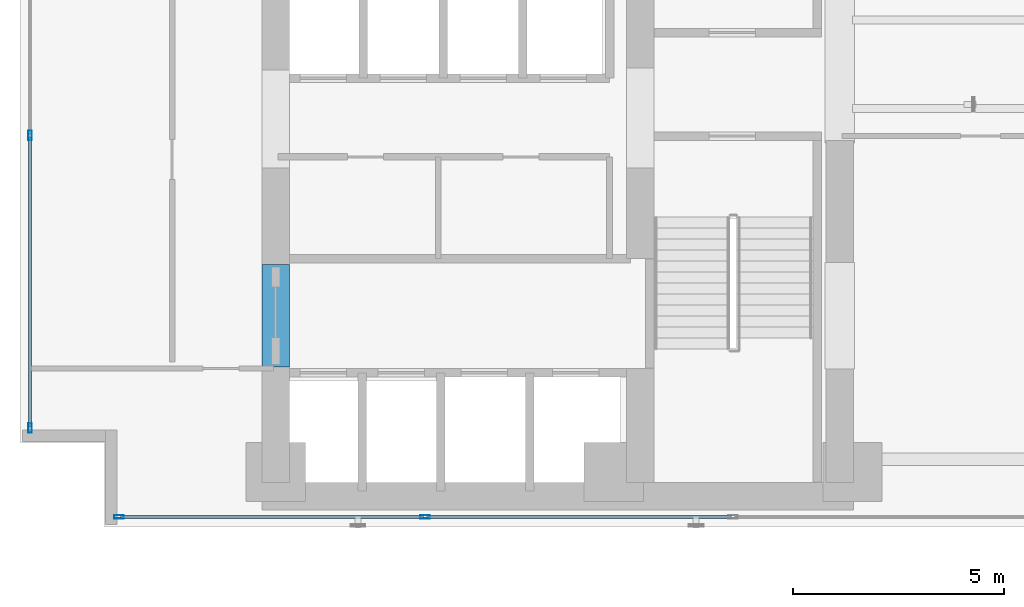
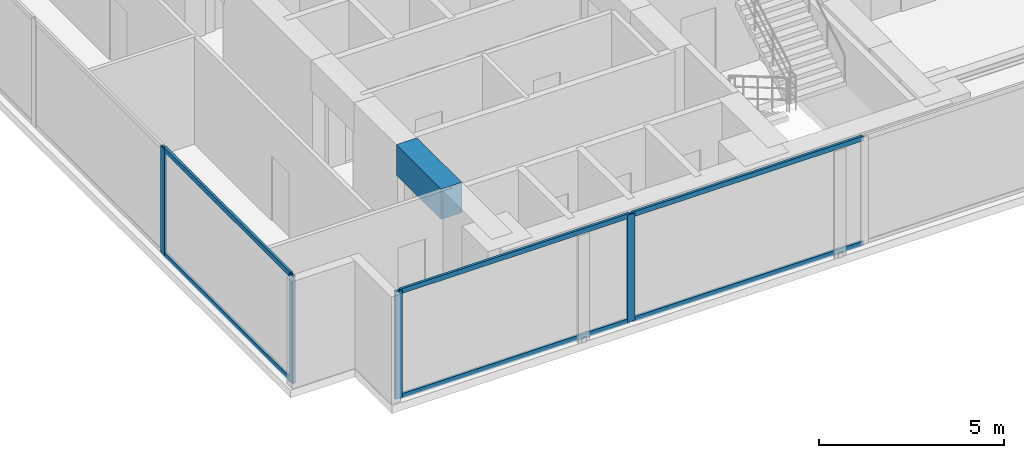
# One storey, part 2 of 26: 10 members, 1 beam, 2 elements without a shape of their own.
"""IFC4 building model written with IfcOpenShell, lengths in metres."""

from ifc_helpers import new_model, si_unit, direction, frame, origin, origin_with_axes, origin_2d, place, context, subcontext, project, spatial, rectangle, hollow_rectangle, extrude, source, transform, mapped, material, layer, layer_set, material_profile, profile_set, type_object, element, aggregate, save


model = new_model("IFC4")

# Units and contexts
model_context = context("Model", 3, precision=1e-05, world=origin(), true_north=direction((0.0, 1.0)))
body_context = subcontext(model_context, "Body", "Model", "MODEL_VIEW")
ifc_project = project(units=[si_unit("LENGTHUNIT", "METRE"), si_unit("AREAUNIT", "SQUARE_METRE"), si_unit("VOLUMEUNIT", "CUBIC_METRE"), si_unit("PLANEANGLEUNIT", "RADIAN"), si_unit("MASSUNIT", "GRAM", prefix="KILO")], contexts=[model_context])

# Site, building, storey
site_placement = place(None, origin())
site = spatial("IfcSite", under=ifc_project, at=site_placement, CompositionType="ELEMENT")
building_placement = place(site_placement, origin())
building = spatial("IfcBuilding", under=site, at=building_placement, Name="Kolvaren Waterfront Exchange", CompositionType="ELEMENT")
storey_placement = place(building_placement, frame((0.0, 0.0, 125.89990234375)))
storey = spatial("IfcBuildingStorey", under=building, at=storey_placement, Name="L32", CompositionType="ELEMENT", Elevation=125.89990234375)

# Beam
ifc_material_1 = material(Name="Concrete C60/75", Category="concrete")
ifc_material_profile_1 = material_profile(ifc_material_1, rectangle(XDim=0.64990234375, YDim=1.0, at=origin_2d()), Name="RC-CB-1000x650")
ifc_profile_set_1 = profile_set([ifc_material_profile_1], Name="Concrete C60/75")
beam_type = type_object("IfcBeamType", Name="STR-CB-1000", PredefinedType="SPANDREL", material=ifc_profile_set_1)
beam_placement = place(storey_placement, frame((7.449951171875, 7.389892578125, 3.0400390625), z_axis=(0.0, 1.0, 0.0), x_axis=(-1.0, 0.0, 0.0)))
element("IfcBeam", 1, at=beam_placement, inside=storey, type_object=beam_type, Name="L32 core coupling beam 3", PredefinedType="SPANDREL", context=body_context, shape_type="SweptSolid", body=[
    extrude(rectangle(XDim=0.64990234375, YDim=1.0, at=origin_2d()), origin(), (0.0, 0.0, 1.0), 2.420166015625),
])

# Curtain wall, members
ifc_material_2 = material(Name="Anodised bronze aluminium 6063-T6", Category="aluminium")
ifc_layer_1 = layer(ifc_material_2, 0.219970703125, Name="Anodised bronze aluminium 6063-T6")
ifc_layer_set_1 = layer_set([ifc_layer_1], Name="Anodised bronze aluminium 6063-T6")
curtain_wall_type_1 = type_object("IfcCurtainWallType", Name="ARC-CW-SYS1", PredefinedType="USERDEFINED", material=ifc_layer_set_1)
curtain_wall_1_placement = place(storey_placement, origin())
curtain_wall_1 = element("IfcCurtainWall", 2, at=curtain_wall_1_placement, inside=storey, type_object=curtain_wall_type_1, Name="L32 stick curtain wall CW1 (CW-L32-S)", ObjectType="STICK CURTAIN WALL", PredefinedType="USERDEFINED")
ifc_material_3 = material(Name="Anodised aluminium 6063-T6", Category="aluminium")
ifc_material_profile_2 = material_profile(ifc_material_3, hollow_rectangle(XDim=0.080078125, YDim=0.219970703125, WallThickness=0.0048828125, at=origin_2d()), Name="ALU-MUL-220x80x5")
ifc_profile_set_2 = profile_set([ifc_material_profile_2], Name="Anodised aluminium 6063-T6")
member_type_1 = type_object("IfcMemberType", Name="ARC-CWM-220", PredefinedType="MULLION", material=ifc_profile_set_2)
shared_shape_1 = source(origin_with_axes(), body_context, "Body", "SweptSolid", [
    extrude(hollow_rectangle(XDim=0.080078125, YDim=0.219970703125, WallThickness=0.0048828125, at=origin_2d()), origin(), (0.0, 0.0, 1.0), 3.5400390625),
])
member_1_placement = place(storey_placement, frame((3.739990234375, 3.840087890625, 0.0), z_axis=(0.0, 0.0, 1.0), x_axis=(0.0, 1.0, 0.0)))
member_1 = element("IfcMember", 3, at=member_1_placement, type_object=member_type_1, Name="CW1 mullion 1", PredefinedType="MULLION", context=body_context, shape_type="MappedRepresentation", body=[
    mapped(shared_shape_1, transform((0.0, 0.0, 0.0), x_axis=(1.0, 0.0, 0.0), y_axis=(0.0, 1.0, 0.0), z_axis=(0.0, 0.0, 1.0), scale=1.0)),
])
member_2_placement = place(storey_placement, frame((10.985595703125, 3.840087890625, 0.0), z_axis=(0.0, 0.0, 1.0), x_axis=(0.0, 1.0, 0.0)))
member_2 = element("IfcMember", 4, at=member_2_placement, type_object=member_type_1, Name="CW1 mullion 2", PredefinedType="MULLION", context=body_context, shape_type="MappedRepresentation", body=[
    mapped(shared_shape_1, transform((0.0, 0.0, 0.0), x_axis=(1.0, 0.0, 0.0), y_axis=(0.0, 1.0, 0.0), z_axis=(0.0, 0.0, 1.0), scale=1.0)),
])

ifc_layer_2 = layer(ifc_material_3, 0.219970703125, Name="Anodised aluminium 6063-T6")
ifc_layer_set_2 = layer_set([ifc_layer_2], Name="Anodised aluminium 6063-T6")
curtain_wall_type_2 = type_object("IfcCurtainWallType", Name="ARC-CW-SYS2", PredefinedType="USERDEFINED", material=ifc_layer_set_2)
curtain_wall_2_placement = place(storey_placement, origin())
curtain_wall_2 = element("IfcCurtainWall", 5, at=curtain_wall_2_placement, inside=storey, type_object=curtain_wall_type_2, Name="L32 stick curtain wall CW2 (CW-L32-W)", ObjectType="STICK CURTAIN WALL", PredefinedType="USERDEFINED")
member_3_placement = place(storey_placement, frame((1.639892578125, 5.93994140625, 0.0), z_axis=(0.0, 0.0, 1.0), x_axis=(-1.0, 0.0, 0.0)))
member_3 = element("IfcMember", 6, at=member_3_placement, type_object=member_type_1, Name="CW2 mullion 1", PredefinedType="MULLION", context=body_context, shape_type="MappedRepresentation", body=[
    mapped(shared_shape_1, transform((0.0, 0.0, 0.0), x_axis=(1.0, 0.0, 0.0), y_axis=(0.0, 1.0, 0.0), z_axis=(0.0, 0.0, 1.0), scale=1.0)),
])
member_4_placement = place(storey_placement, frame((1.639892578125, 12.86669921875, 0.0), z_axis=(0.0, 0.0, 1.0), x_axis=(-1.0, 0.0, 0.0)))
member_4 = element("IfcMember", 7, at=member_4_placement, type_object=member_type_1, Name="CW2 mullion 2", PredefinedType="MULLION", context=body_context, shape_type="MappedRepresentation", body=[
    mapped(shared_shape_1, transform((0.0, 0.0, 0.0), x_axis=(1.0, 0.0, 0.0), y_axis=(0.0, 1.0, 0.0), z_axis=(0.0, 0.0, 1.0), scale=1.0)),
])
ifc_material_profile_3 = material_profile(ifc_material_3, hollow_rectangle(XDim=0.074951171875, YDim=0.159912109375, WallThickness=0.00439453125, at=origin_2d()), Name="ALU-TRN-160x75x4.5")
ifc_profile_set_3 = profile_set([ifc_material_profile_3], Name="Anodised aluminium 6063-T6")
member_type_2 = type_object("IfcMemberType", Name="ARC-CWT-160", PredefinedType="USERDEFINED", material=ifc_profile_set_3)
shared_shape_2 = source(origin_with_axes(), body_context, "Body", "SweptSolid", [
    extrude(hollow_rectangle(XDim=0.074951171875, YDim=0.159912109375, WallThickness=0.00439453125, at=origin_2d()), origin(), (0.0, 0.0, 1.0), 6.8466796875),
])
member_5_placement = place(storey_placement, frame((1.639892578125, 5.97998046875, 0.03759765625), z_axis=(0.0, 1.0, 0.0), x_axis=(-1.0, 0.0, 0.0)))
member_5 = element("IfcMember", 8, at=member_5_placement, type_object=member_type_2, Name="CW2 transom 1.1", ObjectType="TRANSOM", PredefinedType="USERDEFINED", context=body_context, shape_type="MappedRepresentation", body=[
    mapped(shared_shape_2, transform((0.0, 0.0, 0.0), x_axis=(1.0, 0.0, 0.0), y_axis=(0.0, 1.0, 0.0), z_axis=(0.0, 0.0, 1.0), scale=1.0)),
])
member_6_placement = place(storey_placement, frame((1.639892578125, 5.97998046875, 3.502685546875), z_axis=(0.0, 1.0, 0.0), x_axis=(-1.0, 0.0, 0.0)))
member_6 = element("IfcMember", 9, at=member_6_placement, type_object=member_type_2, Name="CW2 transom 1.2", ObjectType="TRANSOM", PredefinedType="USERDEFINED", context=body_context, shape_type="MappedRepresentation", body=[
    mapped(shared_shape_2, transform((0.0, 0.0, 0.0), x_axis=(1.0, 0.0, 0.0), y_axis=(0.0, 1.0, 0.0), z_axis=(0.0, 0.0, 1.0), scale=1.0)),
])
aggregate(curtain_wall_2, [member_3, member_4, member_5, member_6])

# Member
shared_shape_3 = source(origin_with_axes(), body_context, "Body", "SweptSolid", [
    extrude(hollow_rectangle(XDim=0.074951171875, YDim=0.159912109375, WallThickness=0.00439453125, at=origin_2d()), origin(), (0.0, 0.0, 1.0), 7.165771484375),
])
member_7_placement = place(storey_placement, frame((3.780029296875, 3.840087890625, 0.03759765625), z_axis=(1.0, 0.0, 0.0), x_axis=(0.0, 1.0, 0.0)))
member_7 = element("IfcMember", 10, at=member_7_placement, type_object=member_type_2, Name="CW1 transom 1.1", ObjectType="TRANSOM", PredefinedType="USERDEFINED", context=body_context, shape_type="MappedRepresentation", body=[
    mapped(shared_shape_3, transform((0.0, 0.0, 0.0), x_axis=(1.0, 0.0, 0.0), y_axis=(0.0, 1.0, 0.0), z_axis=(0.0, 0.0, 1.0), scale=1.0)),
])

member_8_placement = place(storey_placement, frame((3.780029296875, 3.840087890625, 3.502685546875), z_axis=(1.0, 0.0, 0.0), x_axis=(0.0, 1.0, 0.0)))
member_8 = element("IfcMember", 11, at=member_8_placement, type_object=member_type_2, Name="CW1 transom 1.2", ObjectType="TRANSOM", PredefinedType="USERDEFINED", context=body_context, shape_type="MappedRepresentation", body=[
    mapped(shared_shape_3, transform((0.0, 0.0, 0.0), x_axis=(1.0, 0.0, 0.0), y_axis=(0.0, 1.0, 0.0), z_axis=(0.0, 0.0, 1.0), scale=1.0)),
])

shared_shape_4 = source(origin_with_axes(), body_context, "Body", "SweptSolid", [
    extrude(hollow_rectangle(XDim=0.074951171875, YDim=0.159912109375, WallThickness=0.00439453125, at=origin_2d()), origin(), (0.0, 0.0, 1.0), 7.205810546875),
])
member_9_placement = place(storey_placement, frame((11.025634765625, 3.840087890625, 0.03759765625), z_axis=(1.0, 0.0, 0.0), x_axis=(0.0, 1.0, 0.0)))
member_9 = element("IfcMember", 12, at=member_9_placement, type_object=member_type_2, Name="CW1 transom 2.1", ObjectType="TRANSOM", PredefinedType="USERDEFINED", context=body_context, shape_type="MappedRepresentation", body=[
    mapped(shared_shape_4, transform((0.0, 0.0, 0.0), x_axis=(1.0, 0.0, 0.0), y_axis=(0.0, 1.0, 0.0), z_axis=(0.0, 0.0, 1.0), scale=1.0)),
])

member_10_placement = place(storey_placement, frame((11.025634765625, 3.840087890625, 3.502685546875), z_axis=(1.0, 0.0, 0.0), x_axis=(0.0, 1.0, 0.0)))
member_10 = element("IfcMember", 13, at=member_10_placement, type_object=member_type_2, Name="CW1 transom 2.2", ObjectType="TRANSOM", PredefinedType="USERDEFINED", context=body_context, shape_type="MappedRepresentation", body=[
    mapped(shared_shape_4, transform((0.0, 0.0, 0.0), x_axis=(1.0, 0.0, 0.0), y_axis=(0.0, 1.0, 0.0), z_axis=(0.0, 0.0, 1.0), scale=1.0)),
])

aggregate(curtain_wall_1, [member_1, member_2, member_7, member_8, member_9, member_10])

save(model, "model.ifc")
